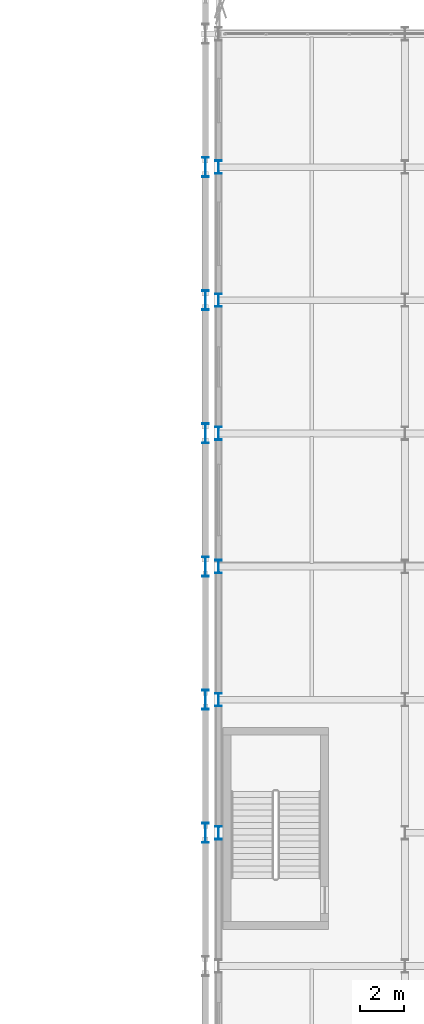
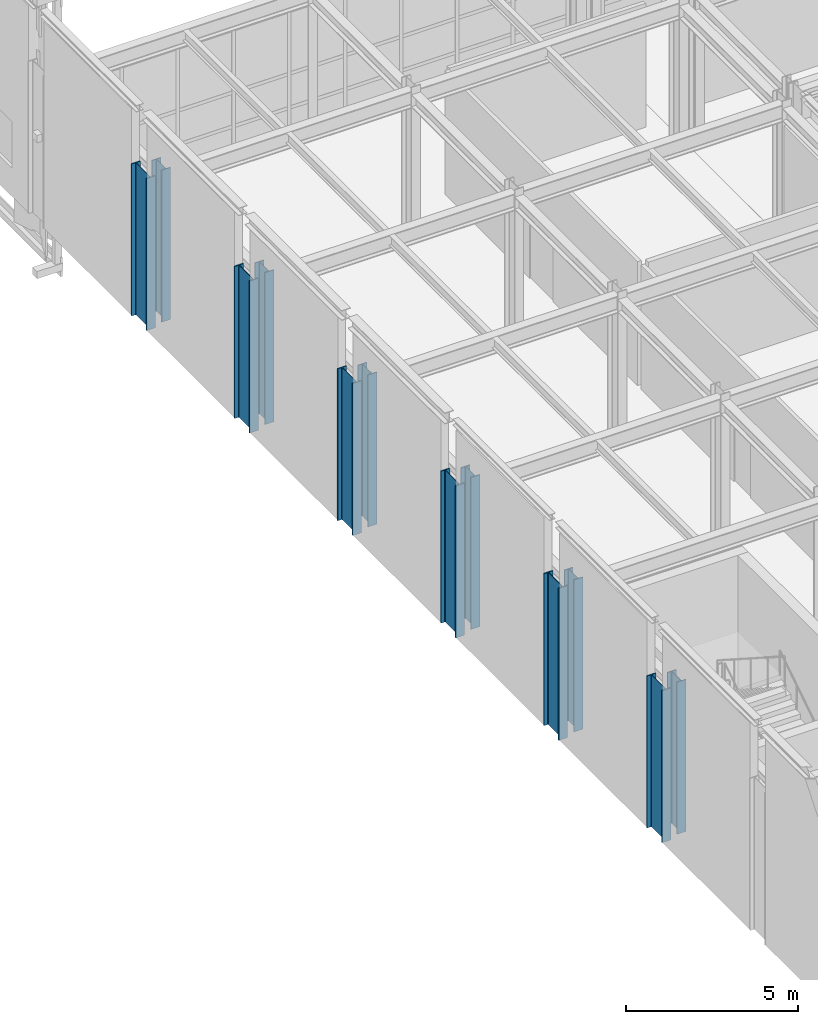
# One storey, part 10 of 210: 12 columns.
"""IFC4 building model written with IfcOpenShell, lengths in metres."""

from ifc_helpers import new_model, si_unit, direction, frame, origin, origin_2d, place, context, subcontext, project, spatial, i_section, extrude, material, material_profile, profile_set, type_object, element, save


model = new_model("IFC4")

# Units and contexts
model_context = context("Model", 3, precision=1e-05, world=origin(), true_north=direction((0.0, 1.0)))
body_context = subcontext(model_context, "Body", "Model", "MODEL_VIEW")
ifc_project = project(units=[si_unit("LENGTHUNIT", "METRE"), si_unit("AREAUNIT", "SQUARE_METRE"), si_unit("VOLUMEUNIT", "CUBIC_METRE"), si_unit("PLANEANGLEUNIT", "RADIAN"), si_unit("MASSUNIT", "GRAM", prefix="KILO")], contexts=[model_context])

# Site, building, storey
site_placement = place(None, origin())
site = spatial("IfcSite", under=ifc_project, at=site_placement, CompositionType="ELEMENT")
building_placement = place(site_placement, origin())
building = spatial("IfcBuilding", under=site, at=building_placement, Name="Kaldris Quays Convention Centre", CompositionType="ELEMENT")
storey_placement = place(building_placement, frame((0.0, 0.0, 6.0)))
storey = spatial("IfcBuildingStorey", under=building, at=storey_placement, Name="L01", CompositionType="ELEMENT", Elevation=6.0)

# Columns
ifc_material = material(Name="Steel S355J2", Category="steel")
ifc_material_profile_1 = material_profile(ifc_material, i_section(OverallWidth=0.300048828125, OverallDepth=0.89990234375, WebThickness=0.0185546875, FlangeThickness=0.034912109375, FilletRadius=0.030029296875, at=origin_2d()), Name="HEB 900")
ifc_profile_set_1 = profile_set([ifc_material_profile_1], Name="Steel S355J2")
column_type_1 = type_object("IfcColumnType", Name="STRUCTURAL COLUMN CL03", PredefinedType="COLUMN", material=ifc_profile_set_1)
for number, where, z_axis, x_axis, name in (
    (1, (146.0, 80.0, 0.0), (0.0, 0.0, 1.0), (1.0, 0.0, 0.0), "L01 V1 Column CL03 (146.00, 80.00)"),
    (2, (146.0, 86.0, 0.0), (0.0, 0.0, 1.0), (1.0, 0.0, 0.0), "L01 V1 Column CL03 (146.00, 86.00)"),
    (3, (146.0, 92.0, 0.0), (0.0, 0.0, 1.0), (1.0, 0.0, 0.0), "L01 V1 Column CL03 (146.00, 92.00)"),
    (4, (146.0, 98.0, 0.0), (0.0, 0.0, 1.0), (1.0, 0.0, 0.0), "L01 V1 Column CL03 (146.00, 98.00)"),
    (5, (146.0, 104.0, 0.0), (0.0, 0.0, 1.0), (1.0, 0.0, 0.0), "L01 V1 Column CL03 (146.00, 104.00)"),
    (6, (146.0, 110.0, 0.0), (0.0, 0.0, 1.0), (1.0, 0.0, 0.0), "L01 V1 Column CL03 (146.00, 110.00)"),
):
    element("IfcColumn", number, at=place(storey_placement, frame(where, z_axis=z_axis, x_axis=x_axis)), inside=storey, type_object=column_type_1, Name=name, PredefinedType="COLUMN", context=body_context, shape_type="SweptSolid", body=[
        extrude(i_section(OverallWidth=0.300048828125, OverallDepth=0.89990234375, WebThickness=0.0185546875, FlangeThickness=0.034912109375, FilletRadius=0.030029296875, at=origin_2d()), origin(), (0.0, 0.0, 1.0), 5.39990234375),
    ])
ifc_material_profile_2 = material_profile(ifc_material, i_section(OverallWidth=0.300048828125, OverallDepth=0.60009765625, WebThickness=0.015380859375, FlangeThickness=0.030029296875, FilletRadius=0.027099609375, at=origin_2d()), Name="HEB 600")
ifc_profile_set_2 = profile_set([ifc_material_profile_2], Name="Steel S355J2")
column_type_2 = type_object("IfcColumnType", Name="STRUCTURAL COLUMN CL06", PredefinedType="COLUMN", material=ifc_profile_set_2)
for number, where, z_axis, x_axis, name in (
    (7, (146.60009765625, 80.0, 0.0), (0.0, 0.0, 1.0), (1.0, 0.0, 0.0), "L01 V4 Column CL06 (146.60, 80.00)"),
    (8, (146.60009765625, 86.0, 0.0), (0.0, 0.0, 1.0), (1.0, 0.0, 0.0), "L01 V4 Column CL06 (146.60, 86.00)"),
    (9, (146.60009765625, 92.0, 0.0), (0.0, 0.0, 1.0), (1.0, 0.0, 0.0), "L01 V4 Column CL06 (146.60, 92.00)"),
    (10, (146.60009765625, 98.0, 0.0), (0.0, 0.0, 1.0), (1.0, 0.0, 0.0), "L01 V4 Column CL06 (146.60, 98.00)"),
    (11, (146.60009765625, 104.0, 0.0), (0.0, 0.0, 1.0), (1.0, 0.0, 0.0), "L01 V4 Column CL06 (146.60, 104.00)"),
    (12, (146.60009765625, 110.0, 0.0), (0.0, 0.0, 1.0), (1.0, 0.0, 0.0), "L01 V4 Column CL06 (146.60, 110.00)"),
):
    element("IfcColumn", number, at=place(storey_placement, frame(where, z_axis=z_axis, x_axis=x_axis)), inside=storey, type_object=column_type_2, Name=name, PredefinedType="COLUMN", context=body_context, shape_type="SweptSolid", body=[
        extrude(i_section(OverallWidth=0.300048828125, OverallDepth=0.60009765625, WebThickness=0.015380859375, FlangeThickness=0.030029296875, FilletRadius=0.027099609375, at=origin_2d()), origin(), (0.0, 0.0, 1.0), 5.39990234375),
    ])

save(model, "model.ifc")
